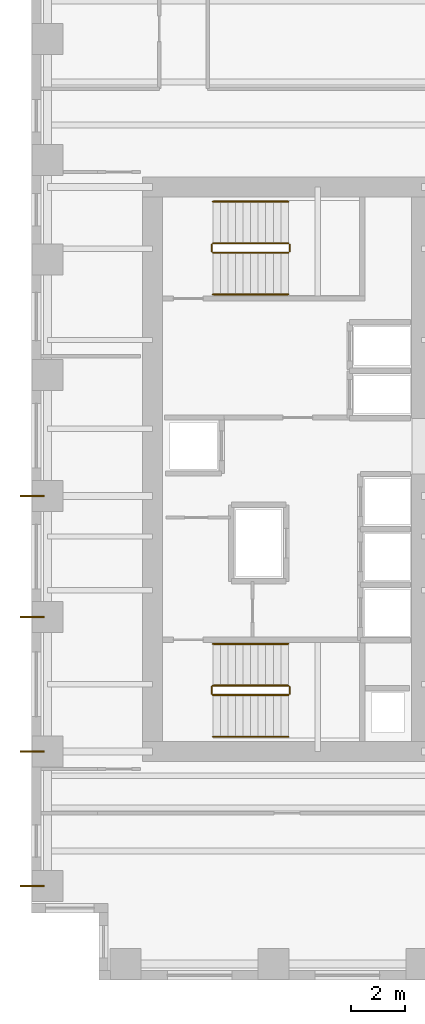
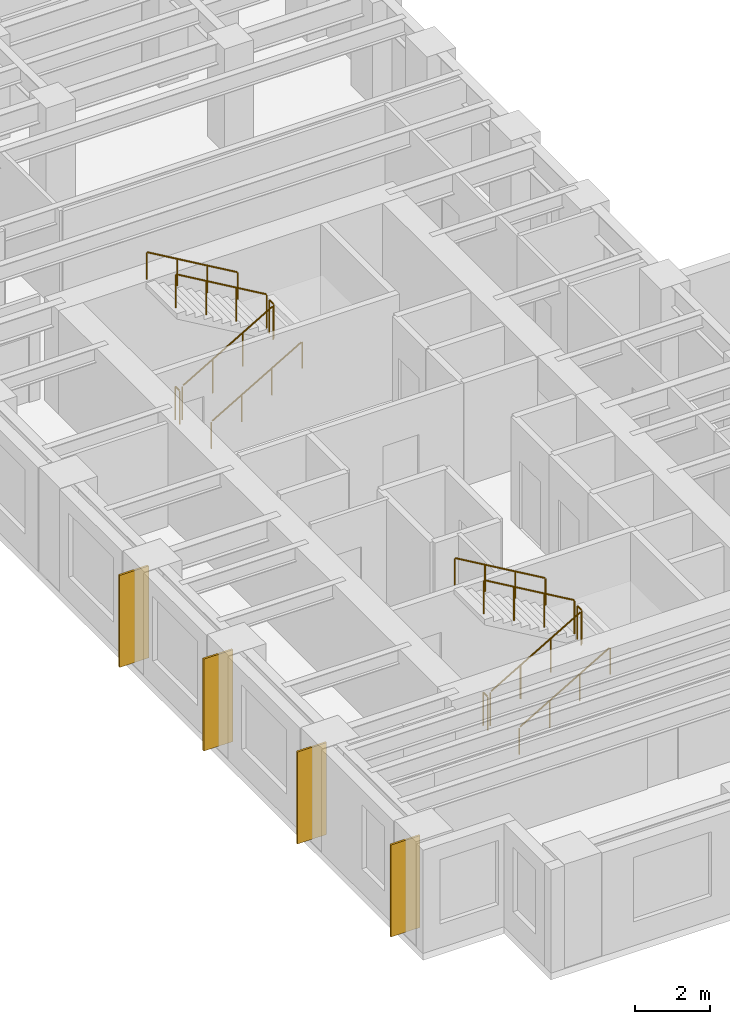
# One storey, part 10 of 11: 12 railings, 4 coverings.
"""IFC4 building model written with IfcOpenShell, lengths in metres."""

from ifc_helpers import new_model, si_unit, direction, frame, origin, origin_2d, place, context, subcontext, project, spatial, rectangle, circle, extrude, source, transform, mapped, material, layer, layer_set, type_object, element, save


model = new_model("IFC4")

# Units and contexts
model_context = context("Model", 3, precision=1e-05, world=origin(), true_north=direction((0.0, 1.0)))
body_context = subcontext(model_context, "Body", "Model", "MODEL_VIEW")
ifc_project = project(units=[si_unit("LENGTHUNIT", "METRE"), si_unit("AREAUNIT", "SQUARE_METRE"), si_unit("VOLUMEUNIT", "CUBIC_METRE"), si_unit("PLANEANGLEUNIT", "RADIAN"), si_unit("MASSUNIT", "GRAM", prefix="KILO")], contexts=[model_context])

# Site, building, storey
site_placement = place(None, origin())
site = spatial("IfcSite", under=ifc_project, at=site_placement, CompositionType="ELEMENT")
building_placement = place(site_placement, origin())
building = spatial("IfcBuilding", under=site, at=building_placement, Name="Kharzan Plaza Tower", CompositionType="ELEMENT")
storey_placement = place(building_placement, frame((0.0, 0.0, 84.60009765625)))
storey = spatial("IfcBuildingStorey", under=building, at=storey_placement, Name="L22", CompositionType="ELEMENT", Elevation=84.60009765625)

# Railings
ifc_material_1 = material(Name="Painted Galvanized Architectural Steel", Category="steel")
ifc_layer_1 = layer(ifc_material_1, 0.074951171875)
ifc_layer_set_1 = layer_set([ifc_layer_1], Name="Painted Galvanized Architectural Steel")
railing_type_1 = type_object("IfcRailingType", Name="RL-GUARD-1120", PredefinedType="BALUSTRADE", material=ifc_layer_set_1)
shared_shape_1 = source(origin(), body_context, "Body", "SweptSolid", [
    extrude(circle(Radius=0.02392578125, at=origin_2d()), frame((0.0, 0.0263671875, 1.09619140625), z_axis=(0.0, 1.0, 0.0), x_axis=(-1.0, 0.0, 0.0)), (0.0, 0.0, 1.0), 0.197021484375),
    extrude(circle(Radius=0.02099609375, at=origin_2d()), origin(), (0.0, 0.0, 1.0), 1.072021484375),
    extrude(circle(Radius=0.02099609375, at=origin_2d()), frame((0.0, 0.25, 0.0)), (0.0, 0.0, 1.0), 1.072021484375),
])
for number, where, name in (
    (1, (9.60009765625, 10.64990234375, 1.7998046875), "L22 ST-1 stair guard 2"),
    (2, (6.699951171875, 10.64990234375, 0.0), "L22 ST-1 stair guard 4"),
    (3, (9.60009765625, 27.10009765625, 1.7998046875), "L22 ST-2 stair guard 2"),
    (4, (6.699951171875, 27.10009765625, 0.0), "L22 ST-2 stair guard 4"),
):
    element("IfcRailing", number, at=place(storey_placement, frame(where)), inside=storey, type_object=railing_type_1, Name=name, PredefinedType="BALUSTRADE", context=body_context, shape_type="MappedRepresentation", body=[
        mapped(shared_shape_1, transform((0.0, 0.0, 0.0), x_axis=(1.0, 0.0, 0.0), y_axis=(0.0, 1.0, 0.0), z_axis=(0.0, 0.0, 1.0))),
    ])

# Coverings
ifc_material_2 = material(Name="Honed Riyadh Limestone", Category="masonry")
ifc_layer_2 = layer(ifc_material_2, 0.06005859375)
ifc_layer_set_2 = layer_set([ifc_layer_2], Name="Honed Riyadh Limestone")
covering_type = type_object("IfcCoveringType", Name="COV-CLAD-STONE", PredefinedType="CLADDING", material=ifc_layer_set_2)
shared_shape_2 = source(origin(), body_context, "Body", "SweptSolid", [
    extrude(rectangle(XDim=0.06005859375, YDim=0.89990234375, at=origin_2d()), origin(), (0.0, 0.0, 1.0), 3.0),
])
for number, where, z_axis, x_axis, name in (
    (5, (0.02001953125, 13.5, 0.099853515625), (0.0, 0.0, 1.0), (0.0, 1.0, 0.0), "L22 Limestone Pier Rainscreen Cladding TCW-135"),
    (6, (0.02001953125, 18.0, 0.099853515625), (0.0, 0.0, 1.0), (0.0, 1.0, 0.0), "L22 Limestone Pier Rainscreen Cladding TCW-180"),
    (7, (0.02001953125, 3.5, 0.099853515625), (0.0, 0.0, 1.0), (0.0, 1.0, 0.0), "L22 Limestone Pier Rainscreen Cladding TCW-35"),
    (8, (0.02001953125, 8.5, 0.099853515625), (0.0, 0.0, 1.0), (0.0, 1.0, 0.0), "L22 Limestone Pier Rainscreen Cladding TCW-85"),
):
    element("IfcCovering", number, at=place(storey_placement, frame(where, z_axis=z_axis, x_axis=x_axis)), inside=storey, type_object=covering_type, Name=name, PredefinedType="CLADDING", context=body_context, shape_type="MappedRepresentation", body=[
        mapped(shared_shape_2, transform((0.0, 0.0, 0.0), x_axis=(1.0, 0.0, 0.0), y_axis=(0.0, 1.0, 0.0), z_axis=(0.0, 0.0, 1.0))),
    ])

# Railings
shared_shape_3 = source(origin(), body_context, "Body", "SweptSolid", [
    extrude(circle(Radius=0.02392578125, at=origin_2d()), frame((0.02294921875, 0.0, 1.109375), z_axis=(0.863393664356, 0.0, 0.504530851732), x_axis=(0.0, 1.0, 0.0)), (0.0, 0.0, 1.0), 3.190185546875),
    extrude(circle(Radius=0.02099609375, at=origin_2d()), origin(), (0.0, 0.0, 1.0), 1.072021484375),
    extrude(circle(Radius=0.02099609375, at=origin_2d()), frame((0.933349609375, 0.0, 0.54541015625)), (0.0, 0.0, 1.0), 1.072021484375),
    extrude(circle(Radius=0.02099609375, at=origin_2d()), frame((1.86669921875, 0.0, 1.0908203125)), (0.0, 0.0, 1.0), 1.072021484375),
    extrude(circle(Radius=0.02099609375, at=origin_2d()), frame((2.800048828125, 0.0, 1.63623046875)), (0.0, 0.0, 1.0), 1.072021484375),
])
for number, where, name in (
    (9, (6.75, 10.60009765625, 0.16357421875), "L22 ST-1 stair guard 1"),
    (10, (6.75, 27.050048828125, 0.16357421875), "L22 ST-2 stair guard 1"),
):
    element("IfcRailing", number, at=place(storey_placement, frame(where)), inside=storey, type_object=railing_type_1, Name=name, PredefinedType="BALUSTRADE", context=body_context, shape_type="MappedRepresentation", body=[
        mapped(shared_shape_3, transform((0.0, 0.0, 0.0), x_axis=(1.0, 0.0, 0.0), y_axis=(0.0, 1.0, 0.0), z_axis=(0.0, 0.0, 1.0))),
    ])
shared_shape_4 = source(origin(), body_context, "Body", "SweptSolid", [
    extrude(circle(Radius=0.02392578125, at=origin_2d()), frame((-0.02294921875, 0.0, 1.109375), z_axis=(-0.863393664356, 0.0, 0.504530851732), x_axis=(0.0, -1.0, 0.0)), (0.0, 0.0, 1.0), 3.190185546875),
    extrude(circle(Radius=0.02099609375, at=origin_2d()), origin(), (0.0, 0.0, 1.0), 1.072021484375),
    extrude(circle(Radius=0.02099609375, at=origin_2d()), frame((-0.933349609375, 0.0, 0.54541015625)), (0.0, 0.0, 1.0), 1.072021484375),
    extrude(circle(Radius=0.02099609375, at=origin_2d()), frame((-1.86669921875, 0.0, 1.0908203125)), (0.0, 0.0, 1.0), 1.072021484375),
    extrude(circle(Radius=0.02099609375, at=origin_2d()), frame((-2.800048828125, 0.0, 1.63623046875)), (0.0, 0.0, 1.0), 1.072021484375),
])
for number, where, name in (
    (11, (9.550048828125, 10.949951171875, 1.963623046875), "L22 ST-1 stair guard 3"),
    (12, (9.550048828125, 27.39990234375, 1.963623046875), "L22 ST-2 stair guard 3"),
):
    element("IfcRailing", number, at=place(storey_placement, frame(where)), inside=storey, type_object=railing_type_1, Name=name, PredefinedType="BALUSTRADE", context=body_context, shape_type="MappedRepresentation", body=[
        mapped(shared_shape_4, transform((0.0, 0.0, 0.0), x_axis=(1.0, 0.0, 0.0), y_axis=(0.0, 1.0, 0.0), z_axis=(0.0, 0.0, 1.0))),
    ])
ifc_material_3 = material(Name="Brushed Stainless Steel", Category="steel")
ifc_layer_3 = layer(ifc_material_3, 0.050048828125)
ifc_layer_set_3 = layer_set([ifc_layer_3], Name="Brushed Stainless Steel")
railing_type_2 = type_object("IfcRailingType", Name="RL-STAIR-HR920", PredefinedType="HANDRAIL", material=ifc_layer_set_3)
shared_shape_5 = source(origin(), body_context, "Body", "SweptSolid", [
    extrude(circle(Radius=0.02392578125, at=origin_2d()), frame((0.02294921875, 0.0, 0.88916015625), z_axis=(0.863393664356, 0.0, 0.504530851732), x_axis=(0.0, 1.0, 0.0)), (0.0, 0.0, 1.0), 3.190185546875),
    extrude(circle(Radius=0.02099609375, at=origin_2d()), origin(), (0.0, 0.0, 1.0), 0.851806640625),
    extrude(circle(Radius=0.02099609375, at=origin_2d()), frame((0.933349609375, 0.0, 0.54541015625)), (0.0, 0.0, 1.0), 0.851806640625),
    extrude(circle(Radius=0.02099609375, at=origin_2d()), frame((1.86669921875, 0.0, 1.0908203125)), (0.0, 0.0, 1.0), 0.851806640625),
    extrude(circle(Radius=0.02099609375, at=origin_2d()), frame((2.800048828125, 0.0, 1.63623046875)), (0.0, 0.0, 1.0), 0.851806640625),
])
for number, where, name in (
    (13, (6.75, 9.050048828125, 0.16357421875), "L22 ST-1 stair handrail 1"),
    (14, (6.75, 25.5, 0.16357421875), "L22 ST-2 stair handrail 1"),
):
    element("IfcRailing", number, at=place(storey_placement, frame(where)), inside=storey, type_object=railing_type_2, Name=name, PredefinedType="HANDRAIL", context=body_context, shape_type="MappedRepresentation", body=[
        mapped(shared_shape_5, transform((0.0, 0.0, 0.0), x_axis=(1.0, 0.0, 0.0), y_axis=(0.0, 1.0, 0.0), z_axis=(0.0, 0.0, 1.0))),
    ])
shared_shape_6 = source(origin(), body_context, "Body", "SweptSolid", [
    extrude(circle(Radius=0.02392578125, at=origin_2d()), frame((-0.02294921875, 0.0, 0.88916015625), z_axis=(-0.863393664356, 0.0, 0.504530851732), x_axis=(0.0, -1.0, 0.0)), (0.0, 0.0, 1.0), 3.190185546875),
    extrude(circle(Radius=0.02099609375, at=origin_2d()), origin(), (0.0, 0.0, 1.0), 0.851806640625),
    extrude(circle(Radius=0.02099609375, at=origin_2d()), frame((-0.933349609375, 0.0, 0.54541015625)), (0.0, 0.0, 1.0), 0.851806640625),
    extrude(circle(Radius=0.02099609375, at=origin_2d()), frame((-1.86669921875, 0.0, 1.0908203125)), (0.0, 0.0, 1.0), 0.851806640625),
    extrude(circle(Radius=0.02099609375, at=origin_2d()), frame((-2.800048828125, 0.0, 1.63623046875)), (0.0, 0.0, 1.0), 0.851806640625),
])
for number, where, name in (
    (15, (9.550048828125, 12.5, 1.963623046875), "L22 ST-1 stair handrail 2"),
    (16, (9.550048828125, 28.949951171875, 1.963623046875), "L22 ST-2 stair handrail 2"),
):
    element("IfcRailing", number, at=place(storey_placement, frame(where)), inside=storey, type_object=railing_type_2, Name=name, PredefinedType="HANDRAIL", context=body_context, shape_type="MappedRepresentation", body=[
        mapped(shared_shape_6, transform((0.0, 0.0, 0.0), x_axis=(1.0, 0.0, 0.0), y_axis=(0.0, 1.0, 0.0), z_axis=(0.0, 0.0, 1.0))),
    ])

save(model, "model.ifc")
